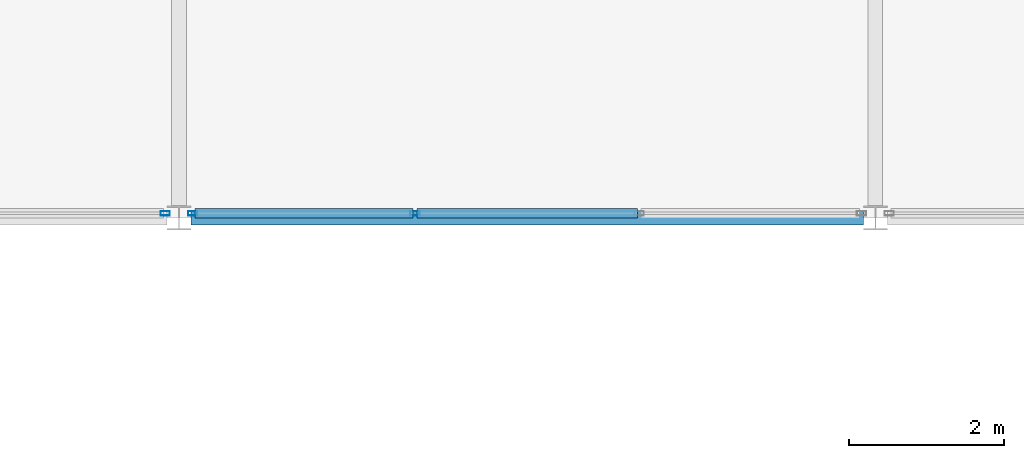
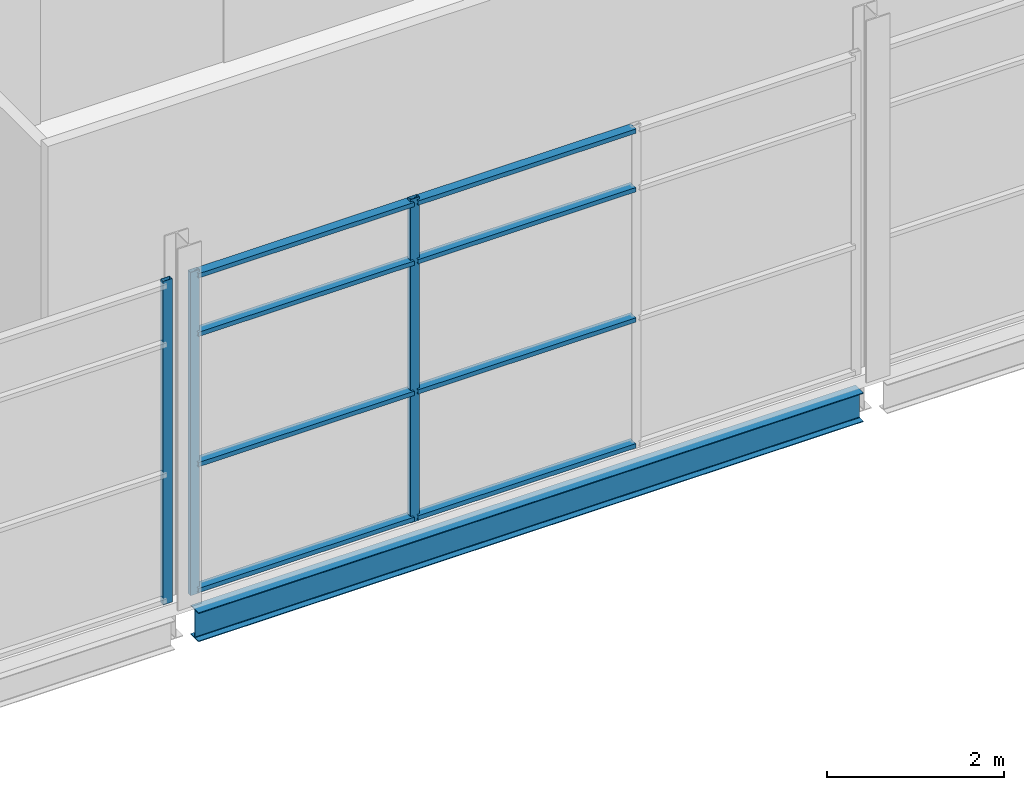
# One storey, part 24 of 61: 11 members, 1 beam, 2 elements without a shape of their own.
"""IFC4 building model written with IfcOpenShell, lengths in metres."""

from ifc_helpers import new_model, si_unit, direction, frame, origin, origin_2d, place, context, subcontext, project, spatial, hollow_rectangle, i_section, extrude, material, layer, layer_set, material_profile, profile_set, type_object, element, aggregate, save


model = new_model("IFC4")

# Units and contexts
model_context = context("Model", 3, precision=1e-05, world=origin(), true_north=direction((0.0, 1.0)))
body_context = subcontext(model_context, "Body", "Model", "MODEL_VIEW")
ifc_project = project(units=[si_unit("LENGTHUNIT", "METRE"), si_unit("AREAUNIT", "SQUARE_METRE"), si_unit("VOLUMEUNIT", "CUBIC_METRE"), si_unit("PLANEANGLEUNIT", "RADIAN"), si_unit("MASSUNIT", "GRAM", prefix="KILO")], contexts=[model_context])

# Site, building, storey
site_placement = place(None, origin())
site = spatial("IfcSite", under=ifc_project, at=site_placement, CompositionType="ELEMENT")
building_placement = place(site_placement, origin())
building = spatial("IfcBuilding", under=site, at=building_placement, Name="Shorebreak Coast Museum", CompositionType="ELEMENT")
storey_placement = place(building_placement, frame((0.0, 0.0, 26.0)))
storey = spatial("IfcBuildingStorey", under=building, at=storey_placement, Name="L04", CompositionType="ELEMENT", Elevation=26.0)

# Beam
ifc_material_1 = material(Name="Steel Grade 300", Category="steel")
ifc_material_profile_1 = material_profile(ifc_material_1, i_section(OverallWidth=0.177978515625, OverallDepth=0.402587890625, WebThickness=0.007568359375, FlangeThickness=0.010986328125, FilletRadius=0.011474609375, at=origin_2d()), Name="410UB53.7")
ifc_profile_set_1 = profile_set([ifc_material_profile_1], Name="Steel Grade 300")
beam_type = type_object("IfcBeamType", Name="Floor girder east-west 410UB53.7", PredefinedType="BEAM", material=ifc_profile_set_1)
beam_placement = place(storey_placement, frame((72.154541015625, 81.0, -0.376220703125), z_axis=(1.0, 0.0, 0.0), x_axis=(0.0, 1.0, 0.0)))
element("IfcBeam", 1, at=beam_placement, inside=storey, type_object=beam_type, Name="Floor girder east-west L04 9K", PredefinedType="BEAM", context=body_context, shape_type="SweptSolid", body=[
    extrude(i_section(OverallWidth=0.177978515625, OverallDepth=0.402587890625, WebThickness=0.007568359375, FlangeThickness=0.010986328125, FilletRadius=0.011474609375, at=origin_2d()), origin(), (0.0, 0.0, 1.0), 8.69091796875),
])

# Curtain wall, member
ifc_material_2 = material(Name="Aluminium", Category="aluminium")
ifc_layer = layer(ifc_material_2, 0.1201171875)
ifc_layer_set = layer_set([ifc_layer], Name="Aluminium")
curtain_wall_type = type_object("IfcCurtainWallType", Name="Atrium fire screen", PredefinedType="NOTDEFINED", material=ifc_layer_set)
curtain_wall_1_placement = place(storey_placement, origin())
curtain_wall_1 = element("IfcCurtainWall", 2, at=curtain_wall_1_placement, inside=storey, type_object=curtain_wall_type, Name="Atrium screen L04 N 54", PredefinedType="NOTDEFINED")
ifc_material_3 = material(Name="Aluminium", Category="aluminium")
ifc_material_profile_2 = material_profile(ifc_material_3, hollow_rectangle(XDim=0.06005859375, YDim=0.1201171875, WallThickness=0.00341796875, at=origin_2d()), Name="AL 120x60 RHS")
ifc_profile_set_2 = profile_set([ifc_material_profile_2], Name="Aluminium")
member_type_1 = type_object("IfcMemberType", Name="Screen mullion 50 x 120", PredefinedType="MULLION", material=ifc_profile_set_2)
member_1_placement = place(storey_placement, frame((71.821533203125, 81.06005859375, 0.0), z_axis=(0.0, 0.0, 1.0), x_axis=(0.0, 1.0, 0.0)))
member_1 = element("IfcMember", 3, at=member_1_placement, type_object=member_type_1, Name="CW4 mullion 4", PredefinedType="MULLION", context=body_context, shape_type="SweptSolid", body=[
    extrude(hollow_rectangle(XDim=0.06005859375, YDim=0.1201171875, WallThickness=0.00341796875, at=origin_2d()), origin(), (0.0, 0.0, 1.0), 4.469482421875),
])
aggregate(curtain_wall_1, [member_1])

# Curtain wall, members
curtain_wall_2_placement = place(storey_placement, origin())
curtain_wall_2 = element("IfcCurtainWall", 4, at=curtain_wall_2_placement, inside=storey, type_object=curtain_wall_type, Name="Atrium screen L04 N 55", PredefinedType="NOTDEFINED")
member_2_placement = place(storey_placement, frame((72.178466796875, 81.06005859375, 0.0), z_axis=(0.0, 0.0, 1.0), x_axis=(0.0, 1.0, 0.0)))
member_2 = element("IfcMember", 5, at=member_2_placement, type_object=member_type_1, Name="CW5 mullion 1", PredefinedType="MULLION", context=body_context, shape_type="SweptSolid", body=[
    extrude(hollow_rectangle(XDim=0.06005859375, YDim=0.1201171875, WallThickness=0.00341796875, at=origin_2d()), origin(), (0.0, 0.0, 1.0), 4.469482421875),
])
member_3_placement = place(storey_placement, frame((75.05126953125, 81.06005859375, 0.0), z_axis=(0.0, 0.0, 1.0), x_axis=(0.0, 1.0, 0.0)))
member_3 = element("IfcMember", 6, at=member_3_placement, type_object=member_type_1, Name="CW5 mullion 2", PredefinedType="MULLION", context=body_context, shape_type="SweptSolid", body=[
    extrude(hollow_rectangle(XDim=0.06005859375, YDim=0.1201171875, WallThickness=0.00341796875, at=origin_2d()), origin(), (0.0, 0.0, 1.0), 4.469482421875),
])
ifc_material_4 = material(Name="Aluminium", Category="aluminium")
ifc_material_profile_3 = material_profile(ifc_material_4, hollow_rectangle(XDim=0.1201171875, YDim=0.06005859375, WallThickness=0.00341796875, at=origin_2d()), Name="AL 60x120 RHS")
ifc_profile_set_3 = profile_set([ifc_material_profile_3], Name="Aluminium")
member_type_2 = type_object("IfcMemberType", Name="Screen transom 120 x 50", PredefinedType="USERDEFINED", material=ifc_profile_set_3)
member_4_placement = place(storey_placement, frame((72.20361328125, 81.06005859375, 0.06005859375), z_axis=(1.0, 0.0, 0.0), x_axis=(0.0, 1.0, 0.0)))
member_4 = element("IfcMember", 7, at=member_4_placement, type_object=member_type_2, Name="CW5 transom 1.1", ObjectType="TRANSOM", PredefinedType="USERDEFINED", context=body_context, shape_type="SweptSolid", body=[
    extrude(hollow_rectangle(XDim=0.1201171875, YDim=0.06005859375, WallThickness=0.00341796875, at=origin_2d()), origin(), (0.0, 0.0, 1.0), 2.822509765625),
])
member_5_placement = place(storey_placement, frame((72.20361328125, 81.06005859375, 1.800048828125), z_axis=(1.0, 0.0, 0.0), x_axis=(0.0, 1.0, 0.0)))
member_5 = element("IfcMember", 8, at=member_5_placement, type_object=member_type_2, Name="CW5 transom 1.2", ObjectType="TRANSOM", PredefinedType="USERDEFINED", context=body_context, shape_type="SweptSolid", body=[
    extrude(hollow_rectangle(XDim=0.1201171875, YDim=0.06005859375, WallThickness=0.00341796875, at=origin_2d()), origin(), (0.0, 0.0, 1.0), 2.822509765625),
])
member_6_placement = place(storey_placement, frame((72.20361328125, 81.06005859375, 3.60009765625), z_axis=(1.0, 0.0, 0.0), x_axis=(0.0, 1.0, 0.0)))
member_6 = element("IfcMember", 9, at=member_6_placement, type_object=member_type_2, Name="CW5 transom 1.3", ObjectType="TRANSOM", PredefinedType="USERDEFINED", context=body_context, shape_type="SweptSolid", body=[
    extrude(hollow_rectangle(XDim=0.1201171875, YDim=0.06005859375, WallThickness=0.00341796875, at=origin_2d()), origin(), (0.0, 0.0, 1.0), 2.822509765625),
])
member_7_placement = place(storey_placement, frame((72.20361328125, 81.06005859375, 4.409423828125), z_axis=(1.0, 0.0, 0.0), x_axis=(0.0, 1.0, 0.0)))
member_7 = element("IfcMember", 10, at=member_7_placement, type_object=member_type_2, Name="CW5 transom 1.4", ObjectType="TRANSOM", PredefinedType="USERDEFINED", context=body_context, shape_type="SweptSolid", body=[
    extrude(hollow_rectangle(XDim=0.1201171875, YDim=0.06005859375, WallThickness=0.00341796875, at=origin_2d()), origin(), (0.0, 0.0, 1.0), 2.822509765625),
])
member_8_placement = place(storey_placement, frame((75.076171875, 81.06005859375, 0.06005859375), z_axis=(1.0, 0.0, 0.0), x_axis=(0.0, 1.0, 0.0)))
member_8 = element("IfcMember", 11, at=member_8_placement, type_object=member_type_2, Name="CW5 transom 2.1", ObjectType="TRANSOM", PredefinedType="USERDEFINED", context=body_context, shape_type="SweptSolid", body=[
    extrude(hollow_rectangle(XDim=0.1201171875, YDim=0.06005859375, WallThickness=0.00341796875, at=origin_2d()), origin(), (0.0, 0.0, 1.0), 2.84765625),
])
member_9_placement = place(storey_placement, frame((75.076171875, 81.06005859375, 1.800048828125), z_axis=(1.0, 0.0, 0.0), x_axis=(0.0, 1.0, 0.0)))
member_9 = element("IfcMember", 12, at=member_9_placement, type_object=member_type_2, Name="CW5 transom 2.2", ObjectType="TRANSOM", PredefinedType="USERDEFINED", context=body_context, shape_type="SweptSolid", body=[
    extrude(hollow_rectangle(XDim=0.1201171875, YDim=0.06005859375, WallThickness=0.00341796875, at=origin_2d()), origin(), (0.0, 0.0, 1.0), 2.84765625),
])
member_10_placement = place(storey_placement, frame((75.076171875, 81.06005859375, 3.60009765625), z_axis=(1.0, 0.0, 0.0), x_axis=(0.0, 1.0, 0.0)))
member_10 = element("IfcMember", 13, at=member_10_placement, type_object=member_type_2, Name="CW5 transom 2.3", ObjectType="TRANSOM", PredefinedType="USERDEFINED", context=body_context, shape_type="SweptSolid", body=[
    extrude(hollow_rectangle(XDim=0.1201171875, YDim=0.06005859375, WallThickness=0.00341796875, at=origin_2d()), origin(), (0.0, 0.0, 1.0), 2.84765625),
])
member_11_placement = place(storey_placement, frame((75.076171875, 81.06005859375, 4.409423828125), z_axis=(1.0, 0.0, 0.0), x_axis=(0.0, 1.0, 0.0)))
member_11 = element("IfcMember", 14, at=member_11_placement, type_object=member_type_2, Name="CW5 transom 2.4", ObjectType="TRANSOM", PredefinedType="USERDEFINED", context=body_context, shape_type="SweptSolid", body=[
    extrude(hollow_rectangle(XDim=0.1201171875, YDim=0.06005859375, WallThickness=0.00341796875, at=origin_2d()), origin(), (0.0, 0.0, 1.0), 2.84765625),
])
aggregate(curtain_wall_2, [member_2, member_3, member_4, member_5, member_6, member_7, member_8, member_9, member_10, member_11])

save(model, "model.ifc")
